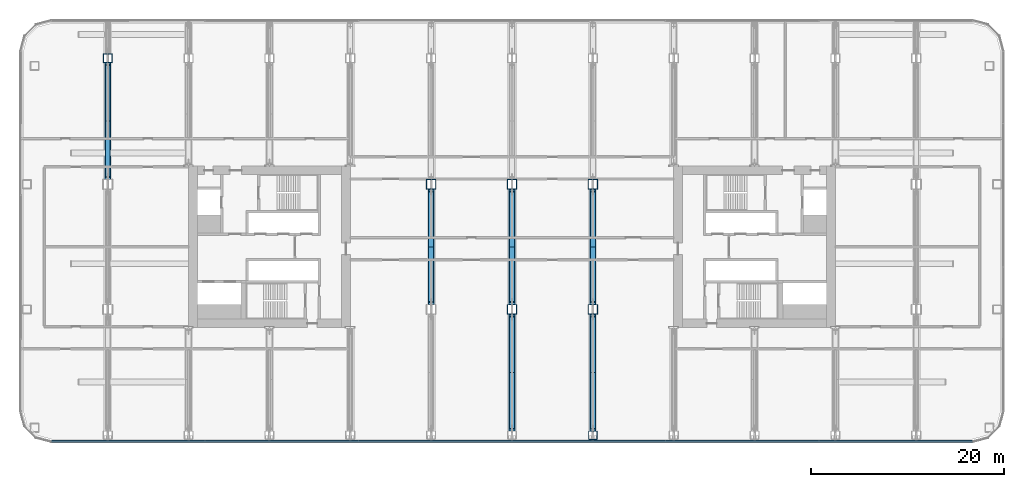
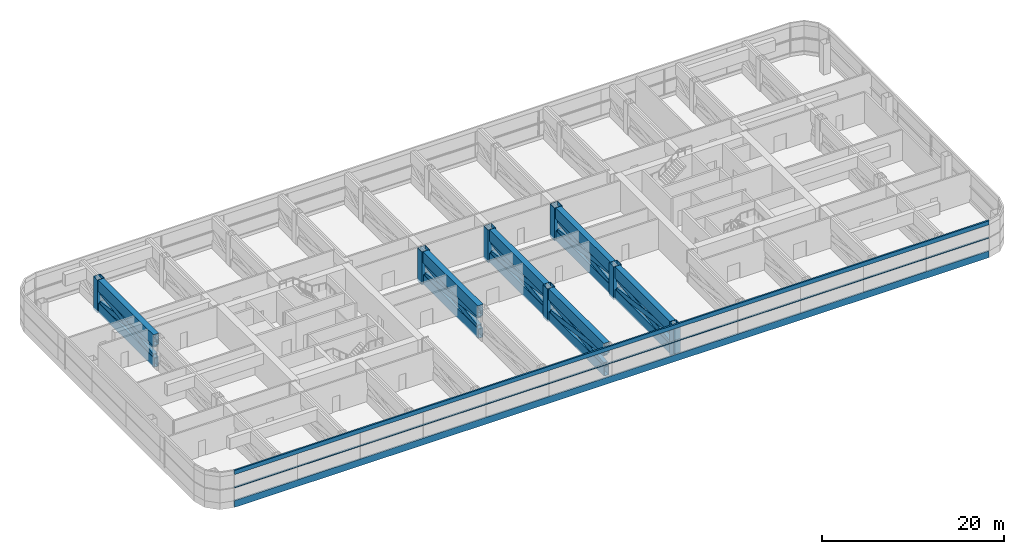
# One storey, part 6 of 30: 34 members, 1 element without a shape of its own.
"""IFC4 building model written with IfcOpenShell, lengths in metres."""

from ifc_helpers import new_model, si_unit, direction, frame, origin, origin_2d, place, context, subcontext, project, spatial, rectangle, hollow_rectangle, extrude, material, layer, layer_set, material_profile, profile_set, type_object, element, aggregate, save


model = new_model("IFC4")

# Units and contexts
model_context = context("Model", 3, precision=1e-05, world=origin(), true_north=direction((0.0, 1.0)))
body_context = subcontext(model_context, "Body", "Model", "MODEL_VIEW")
ifc_project = project(units=[si_unit("LENGTHUNIT", "METRE"), si_unit("AREAUNIT", "SQUARE_METRE"), si_unit("VOLUMEUNIT", "CUBIC_METRE"), si_unit("PLANEANGLEUNIT", "RADIAN"), si_unit("MASSUNIT", "GRAM", prefix="KILO")], contexts=[model_context])

# Site, building, storey
site_placement = place(None, origin())
site = spatial("IfcSite", under=ifc_project, at=site_placement, CompositionType="ELEMENT")
building_placement = place(site_placement, origin())
building = spatial("IfcBuilding", under=site, at=building_placement, Name="Hakoniwa Tower and Hamabe Station Hall", CompositionType="ELEMENT")
storey_placement = place(building_placement, frame((0.0, 0.0, 64.60009765625)))
storey = spatial("IfcBuildingStorey", under=building, at=storey_placement, Name="L18", CompositionType="ELEMENT", Elevation=64.60009765625)

# Curtain wall, members
ifc_material_1 = material(Name="Dark low-e laminated glass", Category="glass")
ifc_layer = layer(ifc_material_1, 0.199951171875)
ifc_layer_set = layer_set([ifc_layer], Name="CW-6 PLANT LOUVRE")
curtain_wall_type = type_object("IfcCurtainWallType", Name="CW-6 PLANT LOUVRE", PredefinedType="NOTDEFINED", material=ifc_layer_set)
curtain_wall_placement = place(storey_placement, origin())
curtain_wall = element("IfcCurtainWall", 1, at=curtain_wall_placement, inside=storey, type_object=curtain_wall_type, Name="CW-6 curtain wall", PredefinedType="NOTDEFINED")
ifc_material_2 = material(Name="Aluminium 6063-T5 black anodised", Category="aluminium")
ifc_material_profile_1 = material_profile(ifc_material_2, rectangle(XDim=0.199951171875, YDim=0.550048828125, at=origin_2d()), Name="CW HEAD BAND 550X200")
ifc_profile_set_1 = profile_set([ifc_material_profile_1], Name="Aluminium 6063-T5 black anodised")
member_type_1 = type_object("IfcMemberType", Name="CW HEAD BAND 550X200", PredefinedType="USERDEFINED", material=ifc_profile_set_1)
member_1_placement = place(storey_placement, frame((-47.839599609375, -20.199951171875, 4.125), z_axis=(1.0, 0.0, 0.0), x_axis=(0.0, 1.0, 0.0)))
member_1 = element("IfcMember", 2, at=member_1_placement, type_object=member_type_1, Name="CW-6 transom", ObjectType="TRANSOM", PredefinedType="USERDEFINED", context=body_context, shape_type="SweptSolid", body=[
    extrude(rectangle(XDim=0.199951171875, YDim=0.550048828125, at=origin_2d()), origin(), (0.0, 0.0, 1.0), 95.67919921875),
])
ifc_material_3 = material(Name="Aluminium 6063-T5 black anodised", Category="aluminium")
ifc_material_profile_2 = material_profile(ifc_material_3, rectangle(XDim=0.199951171875, YDim=0.1201171875, at=origin_2d()), Name="CW MID TRANSOM 120X200")
ifc_profile_set_2 = profile_set([ifc_material_profile_2], Name="Aluminium 6063-T5 black anodised")
member_type_2 = type_object("IfcMemberType", Name="CW MID TRANSOM 120X200", PredefinedType="USERDEFINED", material=ifc_profile_set_2)
member_2_placement = place(storey_placement, frame((-47.839599609375, -20.199951171875, 2.099853515625), z_axis=(1.0, 0.0, 0.0), x_axis=(0.0, 1.0, 0.0)))
member_2 = element("IfcMember", 3, at=member_2_placement, type_object=member_type_2, Name="CW-6 transom", ObjectType="TRANSOM", PredefinedType="USERDEFINED", context=body_context, shape_type="SweptSolid", body=[
    extrude(rectangle(XDim=0.199951171875, YDim=0.1201171875, at=origin_2d()), origin(), (0.0, 0.0, 1.0), 95.67919921875),
])
ifc_material_4 = material(Name="Aluminium 6063-T5 black anodised", Category="aluminium")
ifc_material_profile_3 = material_profile(ifc_material_4, rectangle(XDim=0.199951171875, YDim=0.89990234375, at=origin_2d()), Name="CW SLAB-EDGE BAND 900X200")
ifc_profile_set_3 = profile_set([ifc_material_profile_3], Name="Aluminium 6063-T5 black anodised")
member_type_3 = type_object("IfcMemberType", Name="CW SLAB-EDGE BAND 900X200", PredefinedType="USERDEFINED", material=ifc_profile_set_3)
member_3_placement = place(storey_placement, frame((-47.839599609375, -20.199951171875, -0.10009765625), z_axis=(1.0, 0.0, 0.0), x_axis=(0.0, 1.0, 0.0)))
member_3 = element("IfcMember", 4, at=member_3_placement, type_object=member_type_3, Name="CW-6 transom", ObjectType="TRANSOM", PredefinedType="USERDEFINED", context=body_context, shape_type="SweptSolid", body=[
    extrude(rectangle(XDim=0.199951171875, YDim=0.89990234375, at=origin_2d()), origin(), (0.0, 0.0, 1.0), 95.67919921875),
])
aggregate(curtain_wall, [member_3, member_2, member_1])

# Members
ifc_material_5 = material(Name="Steel SN490C", Category="steel")
ifc_material_profile_4 = material_profile(ifc_material_5, hollow_rectangle(XDim=0.60009765625, YDim=1.300048828125, WallThickness=0.050048828125, at=origin_2d()), Name="BX-1300x600x50")
ifc_profile_set_4 = profile_set([ifc_material_profile_4], Name="Steel SN490C")
member_type_4 = type_object("IfcMemberType", Name="TRUSS CHORD BX-1300x600x50", PredefinedType="CHORD", material=ifc_profile_set_4)
member_4_placement = place(storey_placement, frame((-42.0, 7.0, 0.349853515625), z_axis=(0.0, 1.0, 0.0), x_axis=(-1.0, 0.0, 0.0)))
element("IfcMember", 5, at=member_4_placement, inside=storey, type_object=member_type_4, Name="Truss T1-05-BC03", PredefinedType="CHORD", context=body_context, shape_type="SweptSolid", body=[
    extrude(hollow_rectangle(XDim=0.60009765625, YDim=1.300048828125, WallThickness=0.050048828125, at=origin_2d()), origin(), (0.0, 0.0, 1.0), 12.14990234375),
])
member_5_placement = place(storey_placement, frame((-8.39990234375, -6.0, 0.349853515625), z_axis=(0.0, 1.0, 0.0), x_axis=(-1.0, 0.0, 0.0)))
element("IfcMember", 6, at=member_5_placement, inside=storey, type_object=member_type_4, Name="Truss T1-12-BC02", PredefinedType="CHORD", context=body_context, shape_type="SweptSolid", body=[
    extrude(hollow_rectangle(XDim=0.60009765625, YDim=1.300048828125, WallThickness=0.050048828125, at=origin_2d()), origin(), (0.0, 0.0, 1.0), 12.0),
])
member_6_placement = place(storey_placement, frame((0.0, -19.14990234375, 0.349853515625), z_axis=(0.0, 1.0, 0.0), x_axis=(-1.0, 0.0, 0.0)))
element("IfcMember", 7, at=member_6_placement, inside=storey, type_object=member_type_4, Name="Truss T1-13-BC01", PredefinedType="CHORD", context=body_context, shape_type="SweptSolid", body=[
    extrude(hollow_rectangle(XDim=0.60009765625, YDim=1.300048828125, WallThickness=0.050048828125, at=origin_2d()), origin(), (0.0, 0.0, 1.0), 12.14990234375),
])
member_7_placement = place(storey_placement, frame((0.0, -6.0, 0.349853515625), z_axis=(0.0, 1.0, 0.0), x_axis=(-1.0, 0.0, 0.0)))
element("IfcMember", 8, at=member_7_placement, inside=storey, type_object=member_type_4, Name="Truss T1-13-BC02", PredefinedType="CHORD", context=body_context, shape_type="SweptSolid", body=[
    extrude(hollow_rectangle(XDim=0.60009765625, YDim=1.300048828125, WallThickness=0.050048828125, at=origin_2d()), origin(), (0.0, 0.0, 1.0), 12.0),
])
member_8_placement = place(storey_placement, frame((8.39990234375, -19.14990234375, 0.349853515625), z_axis=(0.0, 1.0, 0.0), x_axis=(-1.0, 0.0, 0.0)))
element("IfcMember", 9, at=member_8_placement, inside=storey, type_object=member_type_4, Name="Truss T1-14-BC01", PredefinedType="CHORD", context=body_context, shape_type="SweptSolid", body=[
    extrude(hollow_rectangle(XDim=0.60009765625, YDim=1.300048828125, WallThickness=0.050048828125, at=origin_2d()), origin(), (0.0, 0.0, 1.0), 12.14990234375),
])
member_9_placement = place(storey_placement, frame((8.39990234375, -6.0, 0.349853515625), z_axis=(0.0, 1.0, 0.0), x_axis=(-1.0, 0.0, 0.0)))
element("IfcMember", 10, at=member_9_placement, inside=storey, type_object=member_type_4, Name="Truss T1-14-BC02", PredefinedType="CHORD", context=body_context, shape_type="SweptSolid", body=[
    extrude(hollow_rectangle(XDim=0.60009765625, YDim=1.300048828125, WallThickness=0.050048828125, at=origin_2d()), origin(), (0.0, 0.0, 1.0), 12.0),
])
ifc_material_6 = material(Name="Steel SN490C", Category="steel")
ifc_material_profile_5 = material_profile(ifc_material_6, hollow_rectangle(XDim=0.699951171875, YDim=1.5, WallThickness=0.054931640625, at=origin_2d()), Name="BX-1500x700x55")
ifc_profile_set_5 = profile_set([ifc_material_profile_5], Name="Steel SN490C")
member_type_5 = type_object("IfcMemberType", Name="TRUSS CHORD BX-1500x700x55", PredefinedType="CHORD", material=ifc_profile_set_5)
member_10_placement = place(storey_placement, frame((-42.0, 7.0, 3.349853515625), z_axis=(0.0, 1.0, 0.0), x_axis=(-1.0, 0.0, 0.0)))
element("IfcMember", 11, at=member_10_placement, inside=storey, type_object=member_type_5, Name="Truss T1-05-TC03", PredefinedType="CHORD", context=body_context, shape_type="SweptSolid", body=[
    extrude(hollow_rectangle(XDim=0.699951171875, YDim=1.5, WallThickness=0.054931640625, at=origin_2d()), origin(), (0.0, 0.0, 1.0), 12.14990234375),
])
member_11_placement = place(storey_placement, frame((-8.39990234375, -6.0, 3.349853515625), z_axis=(0.0, 1.0, 0.0), x_axis=(-1.0, 0.0, 0.0)))
element("IfcMember", 12, at=member_11_placement, inside=storey, type_object=member_type_5, Name="Truss T1-12-TC02", PredefinedType="CHORD", context=body_context, shape_type="SweptSolid", body=[
    extrude(hollow_rectangle(XDim=0.699951171875, YDim=1.5, WallThickness=0.054931640625, at=origin_2d()), origin(), (0.0, 0.0, 1.0), 12.0),
])
member_12_placement = place(storey_placement, frame((0.0, -19.14990234375, 3.349853515625), z_axis=(0.0, 1.0, 0.0), x_axis=(-1.0, 0.0, 0.0)))
element("IfcMember", 13, at=member_12_placement, inside=storey, type_object=member_type_5, Name="Truss T1-13-TC01", PredefinedType="CHORD", context=body_context, shape_type="SweptSolid", body=[
    extrude(hollow_rectangle(XDim=0.699951171875, YDim=1.5, WallThickness=0.054931640625, at=origin_2d()), origin(), (0.0, 0.0, 1.0), 12.14990234375),
])
member_13_placement = place(storey_placement, frame((0.0, -6.0, 3.349853515625), z_axis=(0.0, 1.0, 0.0), x_axis=(-1.0, 0.0, 0.0)))
element("IfcMember", 14, at=member_13_placement, inside=storey, type_object=member_type_5, Name="Truss T1-13-TC02", PredefinedType="CHORD", context=body_context, shape_type="SweptSolid", body=[
    extrude(hollow_rectangle(XDim=0.699951171875, YDim=1.5, WallThickness=0.054931640625, at=origin_2d()), origin(), (0.0, 0.0, 1.0), 12.0),
])
member_14_placement = place(storey_placement, frame((8.39990234375, -19.14990234375, 3.349853515625), z_axis=(0.0, 1.0, 0.0), x_axis=(-1.0, 0.0, 0.0)))
element("IfcMember", 15, at=member_14_placement, inside=storey, type_object=member_type_5, Name="Truss T1-14-TC01", PredefinedType="CHORD", context=body_context, shape_type="SweptSolid", body=[
    extrude(hollow_rectangle(XDim=0.699951171875, YDim=1.5, WallThickness=0.054931640625, at=origin_2d()), origin(), (0.0, 0.0, 1.0), 12.14990234375),
])
member_15_placement = place(storey_placement, frame((8.39990234375, -6.0, 3.349853515625), z_axis=(0.0, 1.0, 0.0), x_axis=(-1.0, 0.0, 0.0)))
element("IfcMember", 16, at=member_15_placement, inside=storey, type_object=member_type_5, Name="Truss T1-14-TC02", PredefinedType="CHORD", context=body_context, shape_type="SweptSolid", body=[
    extrude(hollow_rectangle(XDim=0.699951171875, YDim=1.5, WallThickness=0.054931640625, at=origin_2d()), origin(), (0.0, 0.0, 1.0), 12.0),
])
ifc_material_7 = material(Name="Steel SN490C", Category="steel")
ifc_material_profile_6 = material_profile(ifc_material_7, hollow_rectangle(XDim=0.5, YDim=0.699951171875, WallThickness=0.031982421875, at=origin_2d()), Name="BX-700x500x32")
ifc_profile_set_6 = profile_set([ifc_material_profile_6], Name="Steel SN490C")
member_type_6 = type_object("IfcMemberType", Name="TRUSS DIAGONAL BX-700x500x32", PredefinedType="BRACE", material=ifc_profile_set_6)
for number, where, z_axis, x_axis, name in (
    (17, (-42.0, 7.25, 1.0), (0.0, 0.990701870054, 0.136050743), (-1.0, 0.0, 0.0), "Truss T1-05-D03a"),
    (18, (-42.0, 7.25, 2.599853515625), (0.0, 0.990701870054, -0.136050743), (-1.0, 0.0, 0.0), "Truss T1-05-D03b"),
):
    element("IfcMember", number, at=place(storey_placement, frame(where, z_axis=z_axis, x_axis=x_axis)), inside=storey, type_object=member_type_6, Name=name, PredefinedType="BRACE", context=body_context, shape_type="SweptSolid", body=[
        extrude(hollow_rectangle(XDim=0.5, YDim=0.699951171875, WallThickness=0.031982421875, at=origin_2d()), origin(), (0.0, 0.0, 1.0), 11.75927734375),
    ])
for number, where, z_axis, x_axis, name in (
    (19, (-8.39990234375, -5.75, 1.0), (0.0, 0.990461368126, 0.137790704512), (-1.0, 0.0, 0.0), "Truss T1-12-D02a"),
    (20, (-8.39990234375, -5.75, 2.599853515625), (0.0, 0.990461368126, -0.137790704512), (-1.0, 0.0, 0.0), "Truss T1-12-D02b"),
):
    element("IfcMember", number, at=place(storey_placement, frame(where, z_axis=z_axis, x_axis=x_axis)), inside=storey, type_object=member_type_6, Name=name, PredefinedType="BRACE", context=body_context, shape_type="SweptSolid", body=[
        extrude(hollow_rectangle(XDim=0.5, YDim=0.699951171875, WallThickness=0.031982421875, at=origin_2d()), origin(), (0.0, 0.0, 1.0), 11.61083984375),
    ])
for number, where, z_axis, x_axis, name in (
    (21, (0.0, -18.89990234375, 1.0), (0.0, 0.990701870054, 0.136050743), (-1.0, 0.0, 0.0), "Truss T1-13-D01a"),
    (22, (0.0, -18.89990234375, 2.599853515625), (0.0, 0.990701870054, -0.136050743), (-1.0, 0.0, 0.0), "Truss T1-13-D01b"),
):
    element("IfcMember", number, at=place(storey_placement, frame(where, z_axis=z_axis, x_axis=x_axis)), inside=storey, type_object=member_type_6, Name=name, PredefinedType="BRACE", context=body_context, shape_type="SweptSolid", body=[
        extrude(hollow_rectangle(XDim=0.5, YDim=0.699951171875, WallThickness=0.031982421875, at=origin_2d()), origin(), (0.0, 0.0, 1.0), 11.75927734375),
    ])
for number, where, z_axis, x_axis, name in (
    (23, (0.0, -5.75, 1.0), (0.0, 0.990461368126, 0.137790704512), (-1.0, 0.0, 0.0), "Truss T1-13-D02a"),
    (24, (0.0, -5.75, 2.599853515625), (0.0, 0.990461368126, -0.137790704512), (-1.0, 0.0, 0.0), "Truss T1-13-D02b"),
):
    element("IfcMember", number, at=place(storey_placement, frame(where, z_axis=z_axis, x_axis=x_axis)), inside=storey, type_object=member_type_6, Name=name, PredefinedType="BRACE", context=body_context, shape_type="SweptSolid", body=[
        extrude(hollow_rectangle(XDim=0.5, YDim=0.699951171875, WallThickness=0.031982421875, at=origin_2d()), origin(), (0.0, 0.0, 1.0), 11.61083984375),
    ])
for number, where, z_axis, x_axis, name in (
    (25, (8.39990234375, -18.89990234375, 1.0), (0.0, 0.990701870054, 0.136050743), (-1.0, 0.0, 0.0), "Truss T1-14-D01a"),
    (26, (8.39990234375, -18.89990234375, 2.599853515625), (0.0, 0.990701870054, -0.136050743), (-1.0, 0.0, 0.0), "Truss T1-14-D01b"),
):
    element("IfcMember", number, at=place(storey_placement, frame(where, z_axis=z_axis, x_axis=x_axis)), inside=storey, type_object=member_type_6, Name=name, PredefinedType="BRACE", context=body_context, shape_type="SweptSolid", body=[
        extrude(hollow_rectangle(XDim=0.5, YDim=0.699951171875, WallThickness=0.031982421875, at=origin_2d()), origin(), (0.0, 0.0, 1.0), 11.75927734375),
    ])
for number, where, z_axis, x_axis, name in (
    (27, (8.39990234375, -5.75, 1.0), (0.0, 0.990461368126, 0.137790704512), (-1.0, 0.0, 0.0), "Truss T1-14-D02a"),
    (28, (8.39990234375, -5.75, 2.599853515625), (0.0, 0.990461368126, -0.137790704512), (-1.0, 0.0, 0.0), "Truss T1-14-D02b"),
):
    element("IfcMember", number, at=place(storey_placement, frame(where, z_axis=z_axis, x_axis=x_axis)), inside=storey, type_object=member_type_6, Name=name, PredefinedType="BRACE", context=body_context, shape_type="SweptSolid", body=[
        extrude(hollow_rectangle(XDim=0.5, YDim=0.699951171875, WallThickness=0.031982421875, at=origin_2d()), origin(), (0.0, 0.0, 1.0), 11.61083984375),
    ])
ifc_material_8 = material(Name="Steel SN490C", Category="steel")
ifc_material_profile_7 = material_profile(ifc_material_8, hollow_rectangle(XDim=1.0, YDim=1.0, WallThickness=0.0400390625, at=origin_2d()), Name="BX-1000x1000x40")
ifc_profile_set_7 = profile_set([ifc_material_profile_7], Name="Steel SN490C")
member_type_7 = type_object("IfcMemberType", Name="TRUSS POST BX-1000x1000x40", PredefinedType="POST", material=ifc_profile_set_7)
for number, where, z_axis, x_axis, name in (
    (29, (-8.39990234375, 6.5, -0.300048828125), (0.0, 0.0, 1.0), (1.0, 0.0, 0.0), "Truss T1-12-P03"),
    (30, (0.0, -6.5, -0.300048828125), (0.0, 0.0, 1.0), (1.0, 0.0, 0.0), "Truss T1-13-P02"),
    (31, (0.0, 6.5, -0.300048828125), (0.0, 0.0, 1.0), (1.0, 0.0, 0.0), "Truss T1-13-P03"),
    (32, (8.39990234375, -6.5, -0.300048828125), (0.0, 0.0, 1.0), (1.0, 0.0, 0.0), "Truss T1-14-P02"),
    (33, (8.39990234375, 6.5, -0.300048828125), (0.0, 0.0, 1.0), (1.0, 0.0, 0.0), "Truss T1-14-P03"),
):
    element("IfcMember", number, at=place(storey_placement, frame(where, z_axis=z_axis, x_axis=x_axis)), inside=storey, type_object=member_type_7, Name=name, PredefinedType="POST", context=body_context, shape_type="SweptSolid", body=[
        extrude(hollow_rectangle(XDim=1.0, YDim=1.0, WallThickness=0.0400390625, at=origin_2d()), origin(), (0.0, 0.0, 1.0), 4.39990234375),
    ])
ifc_material_9 = material(Name="Steel SN490C", Category="steel")
ifc_material_profile_8 = material_profile(ifc_material_9, hollow_rectangle(XDim=0.89990234375, YDim=0.89990234375, WallThickness=0.035888671875, at=origin_2d()), Name="BX-900x900x36")
ifc_profile_set_8 = profile_set([ifc_material_profile_8], Name="Steel SN490C")
member_type_8 = type_object("IfcMemberType", Name="TRUSS POST BX-900x900x36", PredefinedType="POST", material=ifc_profile_set_8)
for number, where, z_axis, x_axis, name in (
    (34, (-42.0, 19.60009765625, -0.300048828125), (0.0, 0.0, 1.0), (1.0, 0.0, 0.0), "Truss T1-05-P04"),
    (35, (8.39990234375, -19.60009765625, -0.300048828125), (0.0, 0.0, 1.0), (1.0, 0.0, 0.0), "Truss T1-14-P01"),
):
    element("IfcMember", number, at=place(storey_placement, frame(where, z_axis=z_axis, x_axis=x_axis)), inside=storey, type_object=member_type_8, Name=name, PredefinedType="POST", context=body_context, shape_type="SweptSolid", body=[
        extrude(hollow_rectangle(XDim=0.89990234375, YDim=0.89990234375, WallThickness=0.035888671875, at=origin_2d()), origin(), (0.0, 0.0, 1.0), 4.39990234375),
    ])

save(model, "model.ifc")
